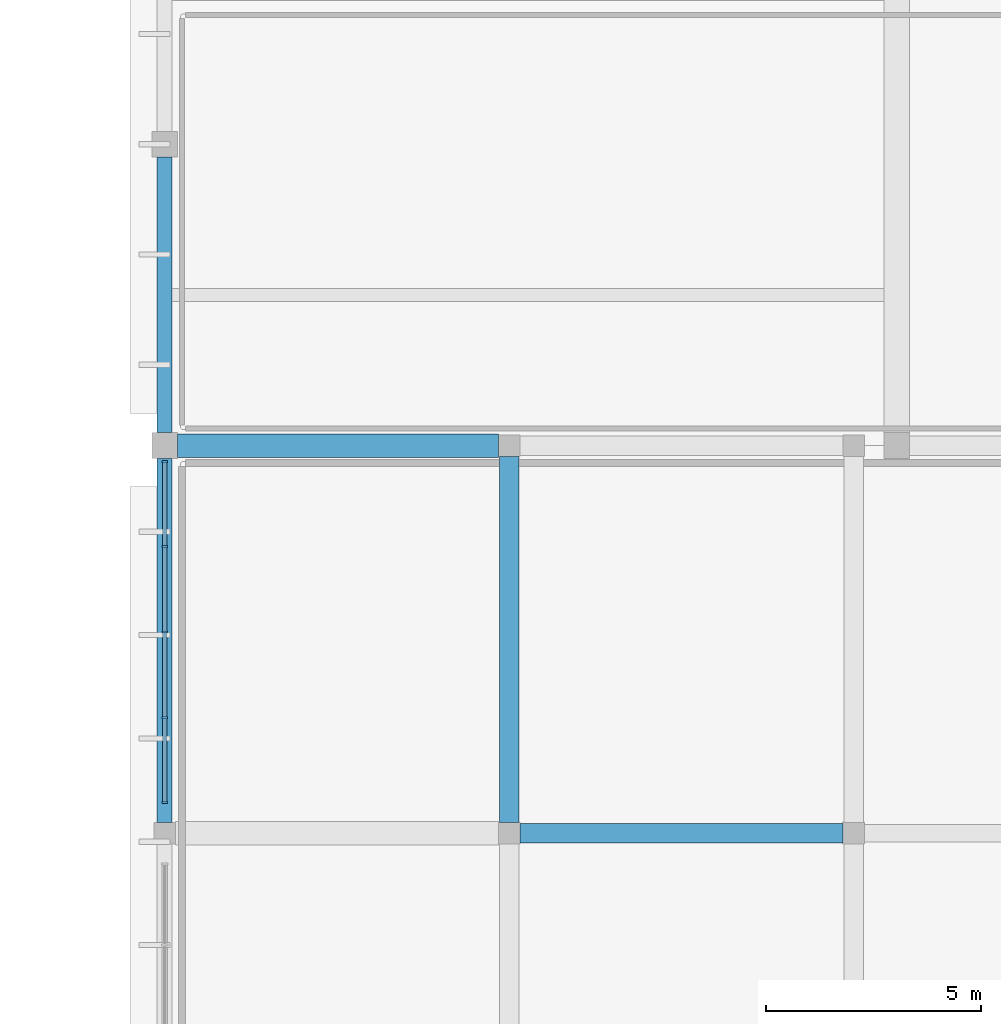
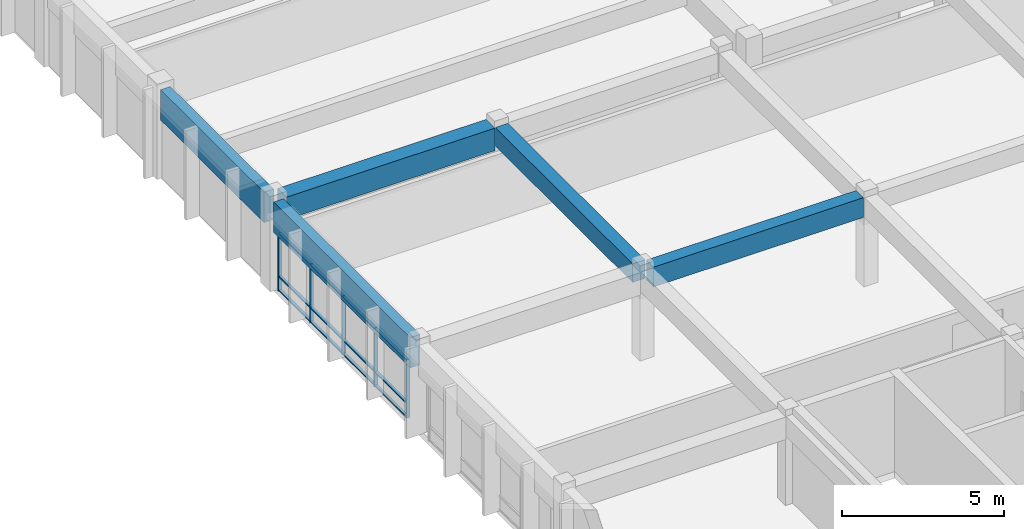
# One storey, part 6 of 33: 17 members, 5 beams, 1 element without a shape of its own.
"""IFC4 building model written with IfcOpenShell, lengths in metres."""

from ifc_helpers import new_model, si_unit, direction, frame, origin, origin_2d, place, context, subcontext, project, spatial, rectangle, extrude, material, material_profile, profile_set, type_object, element, aggregate, save


model = new_model("IFC4")

# Units and contexts
model_context = context("Model", 3, precision=1e-05, world=origin(), true_north=direction((0.0, 1.0)))
body_context = subcontext(model_context, "Body", "Model", "MODEL_VIEW")
ifc_project = project(units=[si_unit("LENGTHUNIT", "METRE"), si_unit("AREAUNIT", "SQUARE_METRE"), si_unit("VOLUMEUNIT", "CUBIC_METRE"), si_unit("PLANEANGLEUNIT", "RADIAN"), si_unit("MASSUNIT", "GRAM", prefix="KILO")], contexts=[model_context])

# Site, building, storey
site_placement = place(None, origin())
site = spatial("IfcSite", under=ifc_project, at=site_placement, CompositionType="ELEMENT")
building_placement = place(site_placement, origin())
building = spatial("IfcBuilding", under=site, at=building_placement, Name="Larkveld Mobility Hub", CompositionType="ELEMENT")
storey_placement = place(building_placement, frame((0.0, 0.0, 15.60009765625)))
storey = spatial("IfcBuildingStorey", under=building, at=storey_placement, Name="L04", CompositionType="ELEMENT", Elevation=15.60009765625)

# Beams
ifc_material_1 = material(Name="Concrete C40/50", Category="concrete")
ifc_material_profile_1 = material_profile(ifc_material_1, rectangle(XDim=0.449951171875, YDim=0.699951171875, at=origin_2d()), Name="RC BM 450x700")
ifc_profile_set_1 = profile_set([ifc_material_profile_1], Name="Concrete C40/50")
beam_type_1 = type_object("IfcBeamType", Name="BM-RC4570", PredefinedType="BEAM", material=ifc_profile_set_1)
beam_1_placement = place(storey_placement, frame((120.0, 19.25, 3.010009765625), z_axis=(0.0, 1.0, 0.0), x_axis=(-1.0, 0.0, 0.0)))
element("IfcBeam", 1, at=beam_1_placement, inside=storey, type_object=beam_type_1, Name="Primary N-S Girder L04-0909", PredefinedType="BEAM", context=body_context, shape_type="SweptSolid", body=[
    extrude(rectangle(XDim=0.449951171875, YDim=0.699951171875, at=origin_2d()), origin(), (0.0, 0.0, 1.0), 8.5),
])
ifc_material_profile_2 = material_profile(ifc_material_1, rectangle(XDim=0.449951171875, YDim=0.75, at=origin_2d()), Name="RC BM 450x750")
ifc_profile_set_2 = profile_set([ifc_material_profile_2], Name="Concrete C40/50")
beam_type_2 = type_object("IfcBeamType", Name="BM-RC4575", PredefinedType="BEAM", material=ifc_profile_set_2)
beam_2_placement = place(storey_placement, frame((120.25, 19.0, 2.98486328125), z_axis=(1.0, 0.0, 0.0), x_axis=(0.0, 1.0, 0.0)))
element("IfcBeam", 2, at=beam_2_placement, inside=storey, type_object=beam_type_2, Name="Primary E-W Girder L04-0867", PredefinedType="BEAM", context=body_context, shape_type="SweptSolid", body=[
    extrude(rectangle(XDim=0.449951171875, YDim=0.75, at=origin_2d()), origin(), (0.0, 0.0, 1.0), 7.5),
])
ifc_material_profile_3 = material_profile(ifc_material_1, rectangle(XDim=0.550048828125, YDim=0.85009765625, at=origin_2d()), Name="RC BM 550x850")
ifc_profile_set_3 = profile_set([ifc_material_profile_3], Name="Concrete C40/50")
beam_type_3 = type_object("IfcBeamType", Name="BM-RC5585", PredefinedType="BEAM", material=ifc_profile_set_3)
beam_3_placement = place(storey_placement, frame((112.300048828125, 28.0, 2.934814453125), z_axis=(1.0, 0.0, 0.0), x_axis=(0.0, 1.0, 0.0)))
element("IfcBeam", 3, at=beam_3_placement, inside=storey, type_object=beam_type_3, Name="Primary E-W Girder L04-0872", PredefinedType="BEAM", context=body_context, shape_type="SweptSolid", body=[
    extrude(rectangle(XDim=0.550048828125, YDim=0.85009765625, at=origin_2d()), origin(), (0.0, 0.0, 1.0), 7.449951171875),
])
ifc_material_2 = material(Name="Precast concrete C50/60", Category="concrete")
ifc_material_profile_4 = material_profile(ifc_material_2, rectangle(XDim=0.35009765625, YDim=1.14990234375, at=origin_2d()), Name="PC SP 350x1150")
ifc_profile_set_4 = profile_set([ifc_material_profile_4], Name="Precast concrete C50/60")
beam_type_4 = type_object("IfcBeamType", Name="BM-SP35115", PredefinedType="SPANDREL", material=ifc_profile_set_4)
beam_4_placement = place(storey_placement, frame((112.0, 19.25, 2.784912109375), z_axis=(0.0, 1.0, 0.0), x_axis=(-1.0, 0.0, 0.0)))
element("IfcBeam", 4, at=beam_4_placement, inside=storey, type_object=beam_type_4, Name="Primary N-S Girder L04-0898", PredefinedType="SPANDREL", context=body_context, shape_type="SweptSolid", body=[
    extrude(rectangle(XDim=0.35009765625, YDim=1.14990234375, at=origin_2d()), origin(), (0.0, 0.0, 1.0), 8.449951171875),
])
beam_5_placement = place(storey_placement, frame((112.0, 28.300048828125, 2.784912109375), z_axis=(0.0, 1.0, 0.0), x_axis=(-1.0, 0.0, 0.0)))
element("IfcBeam", 5, at=beam_5_placement, inside=storey, type_object=beam_type_4, Name="Primary N-S Girder L04-0899", PredefinedType="SPANDREL", context=body_context, shape_type="SweptSolid", body=[
    extrude(rectangle(XDim=0.35009765625, YDim=1.14990234375, at=origin_2d()), origin(), (0.0, 0.0, 1.0), 6.39990234375),
])

# Curtain wall, members
ifc_material_3 = material(Name="Anodised aluminium 6063-T6", Category="aluminium")
curtain_wall_type = type_object("IfcCurtainWallType", Name="CW-SYS-12", PredefinedType="NOTDEFINED", material=ifc_material_3)
curtain_wall_placement = place(storey_placement, origin())
curtain_wall = element("IfcCurtainWall", 6, at=curtain_wall_placement, inside=storey, type_object=curtain_wall_type, Name="Public Passage East Service Facade L04 CW-132", PredefinedType="NOTDEFINED")
ifc_material_profile_5 = material_profile(ifc_material_3, rectangle(XDim=0.050048828125, YDim=0.1298828125, at=origin_2d()), Name="ALU MULL 50x130")
ifc_profile_set_5 = profile_set([ifc_material_profile_5], Name="Anodised aluminium 6063-T6")
member_type_1 = type_object("IfcMemberType", Name="CW-MUL-04", PredefinedType="MULLION", material=ifc_profile_set_5)
member_1_placement = place(storey_placement, frame((112.0, 27.625, -0.002197265625), z_axis=(0.0, 0.0, 1.0), x_axis=(0.0, -1.0, 0.0)))
member_1 = element("IfcMember", 7, at=member_1_placement, type_object=member_type_1, Name="CW12 mullion 1", PredefinedType="MULLION", context=body_context, shape_type="SweptSolid", body=[
    extrude(rectangle(XDim=0.050048828125, YDim=0.1298828125, at=origin_2d()), origin(), (0.0, 0.0, 1.0), 2.212158203125),
])
member_2_placement = place(storey_placement, frame((112.0, 25.659912109375, -0.002197265625), z_axis=(0.0, 0.0, 1.0), x_axis=(0.0, -1.0, 0.0)))
member_2 = element("IfcMember", 8, at=member_2_placement, type_object=member_type_1, Name="CW12 mullion 2", PredefinedType="MULLION", context=body_context, shape_type="SweptSolid", body=[
    extrude(rectangle(XDim=0.050048828125, YDim=0.1298828125, at=origin_2d()), origin(), (0.0, 0.0, 1.0), 2.212158203125),
])
member_3_placement = place(storey_placement, frame((112.0, 23.669921875, -0.002197265625), z_axis=(0.0, 0.0, 1.0), x_axis=(0.0, -1.0, 0.0)))
member_3 = element("IfcMember", 9, at=member_3_placement, type_object=member_type_1, Name="CW12 mullion 3", PredefinedType="MULLION", context=body_context, shape_type="SweptSolid", body=[
    extrude(rectangle(XDim=0.050048828125, YDim=0.1298828125, at=origin_2d()), origin(), (0.0, 0.0, 1.0), 2.212158203125),
])
member_4_placement = place(storey_placement, frame((112.0, 21.679931640625, -0.002197265625), z_axis=(0.0, 0.0, 1.0), x_axis=(0.0, -1.0, 0.0)))
member_4 = element("IfcMember", 10, at=member_4_placement, type_object=member_type_1, Name="CW12 mullion 4", PredefinedType="MULLION", context=body_context, shape_type="SweptSolid", body=[
    extrude(rectangle(XDim=0.050048828125, YDim=0.1298828125, at=origin_2d()), origin(), (0.0, 0.0, 1.0), 2.212158203125),
])
member_5_placement = place(storey_placement, frame((112.0, 19.715087890625, -0.002197265625), z_axis=(0.0, 0.0, 1.0), x_axis=(0.0, -1.0, 0.0)))
member_5 = element("IfcMember", 11, at=member_5_placement, type_object=member_type_1, Name="CW12 mullion 5", PredefinedType="MULLION", context=body_context, shape_type="SweptSolid", body=[
    extrude(rectangle(XDim=0.050048828125, YDim=0.1298828125, at=origin_2d()), origin(), (0.0, 0.0, 1.0), 2.212158203125),
])
ifc_material_profile_6 = material_profile(ifc_material_3, rectangle(XDim=0.10009765625, YDim=0.050048828125, at=origin_2d()), Name="ALU TRAN 50x100")
ifc_profile_set_6 = profile_set([ifc_material_profile_6], Name="Anodised aluminium 6063-T6")
member_type_2 = type_object("IfcMemberType", Name="CW-TRN-04", PredefinedType="USERDEFINED", material=ifc_profile_set_6)
member_6_placement = place(storey_placement, frame((112.0, 27.614990234375, 0.02978515625), z_axis=(0.0, -1.0, 0.0), x_axis=(1.0, 0.0, 0.0)))
member_6 = element("IfcMember", 12, at=member_6_placement, type_object=member_type_2, Name="CW12 transom 1.1", ObjectType="TRANSOM", PredefinedType="USERDEFINED", context=body_context, shape_type="SweptSolid", body=[
    extrude(rectangle(XDim=0.10009765625, YDim=0.050048828125, at=origin_2d()), origin(), (0.0, 0.0, 1.0), 1.93994140625),
])
member_7_placement = place(storey_placement, frame((112.0, 27.614990234375, 0.552001953125), z_axis=(0.0, -1.0, 0.0), x_axis=(1.0, 0.0, 0.0)))
member_7 = element("IfcMember", 13, at=member_7_placement, type_object=member_type_2, Name="CW12 transom 1.2", ObjectType="TRANSOM", PredefinedType="USERDEFINED", context=body_context, shape_type="SweptSolid", body=[
    extrude(rectangle(XDim=0.10009765625, YDim=0.050048828125, at=origin_2d()), origin(), (0.0, 0.0, 1.0), 1.93994140625),
])
member_8_placement = place(storey_placement, frame((112.0, 27.614990234375, 2.177978515625), z_axis=(0.0, -1.0, 0.0), x_axis=(1.0, 0.0, 0.0)))
member_8 = element("IfcMember", 14, at=member_8_placement, type_object=member_type_2, Name="CW12 transom 1.3", ObjectType="TRANSOM", PredefinedType="USERDEFINED", context=body_context, shape_type="SweptSolid", body=[
    extrude(rectangle(XDim=0.10009765625, YDim=0.050048828125, at=origin_2d()), origin(), (0.0, 0.0, 1.0), 1.93994140625),
])
member_9_placement = place(storey_placement, frame((112.0, 25.64501953125, 0.02978515625), z_axis=(0.0, -1.0, 0.0), x_axis=(1.0, 0.0, 0.0)))
member_9 = element("IfcMember", 15, at=member_9_placement, type_object=member_type_2, Name="CW12 transom 2.1", ObjectType="TRANSOM", PredefinedType="USERDEFINED", context=body_context, shape_type="SweptSolid", body=[
    extrude(rectangle(XDim=0.10009765625, YDim=0.050048828125, at=origin_2d()), origin(), (0.0, 0.0, 1.0), 1.9599609375),
])
member_10_placement = place(storey_placement, frame((112.0, 25.64501953125, 0.552001953125), z_axis=(0.0, -1.0, 0.0), x_axis=(1.0, 0.0, 0.0)))
member_10 = element("IfcMember", 16, at=member_10_placement, type_object=member_type_2, Name="CW12 transom 2.2", ObjectType="TRANSOM", PredefinedType="USERDEFINED", context=body_context, shape_type="SweptSolid", body=[
    extrude(rectangle(XDim=0.10009765625, YDim=0.050048828125, at=origin_2d()), origin(), (0.0, 0.0, 1.0), 1.9599609375),
])
member_11_placement = place(storey_placement, frame((112.0, 25.64501953125, 2.177978515625), z_axis=(0.0, -1.0, 0.0), x_axis=(1.0, 0.0, 0.0)))
member_11 = element("IfcMember", 17, at=member_11_placement, type_object=member_type_2, Name="CW12 transom 2.3", ObjectType="TRANSOM", PredefinedType="USERDEFINED", context=body_context, shape_type="SweptSolid", body=[
    extrude(rectangle(XDim=0.10009765625, YDim=0.050048828125, at=origin_2d()), origin(), (0.0, 0.0, 1.0), 1.9599609375),
])
member_12_placement = place(storey_placement, frame((112.0, 23.655029296875, 0.02978515625), z_axis=(0.0, -1.0, 0.0), x_axis=(1.0, 0.0, 0.0)))
member_12 = element("IfcMember", 18, at=member_12_placement, type_object=member_type_2, Name="CW12 transom 3.1", ObjectType="TRANSOM", PredefinedType="USERDEFINED", context=body_context, shape_type="SweptSolid", body=[
    extrude(rectangle(XDim=0.10009765625, YDim=0.050048828125, at=origin_2d()), origin(), (0.0, 0.0, 1.0), 1.9599609375),
])
member_13_placement = place(storey_placement, frame((112.0, 23.655029296875, 0.552001953125), z_axis=(0.0, -1.0, 0.0), x_axis=(1.0, 0.0, 0.0)))
member_13 = element("IfcMember", 19, at=member_13_placement, type_object=member_type_2, Name="CW12 transom 3.2", ObjectType="TRANSOM", PredefinedType="USERDEFINED", context=body_context, shape_type="SweptSolid", body=[
    extrude(rectangle(XDim=0.10009765625, YDim=0.050048828125, at=origin_2d()), origin(), (0.0, 0.0, 1.0), 1.9599609375),
])
member_14_placement = place(storey_placement, frame((112.0, 23.655029296875, 2.177978515625), z_axis=(0.0, -1.0, 0.0), x_axis=(1.0, 0.0, 0.0)))
member_14 = element("IfcMember", 20, at=member_14_placement, type_object=member_type_2, Name="CW12 transom 3.3", ObjectType="TRANSOM", PredefinedType="USERDEFINED", context=body_context, shape_type="SweptSolid", body=[
    extrude(rectangle(XDim=0.10009765625, YDim=0.050048828125, at=origin_2d()), origin(), (0.0, 0.0, 1.0), 1.9599609375),
])
member_15_placement = place(storey_placement, frame((112.0, 21.6650390625, 0.02978515625), z_axis=(0.0, -1.0, 0.0), x_axis=(1.0, 0.0, 0.0)))
member_15 = element("IfcMember", 21, at=member_15_placement, type_object=member_type_2, Name="CW12 transom 4.1", ObjectType="TRANSOM", PredefinedType="USERDEFINED", context=body_context, shape_type="SweptSolid", body=[
    extrude(rectangle(XDim=0.10009765625, YDim=0.050048828125, at=origin_2d()), origin(), (0.0, 0.0, 1.0), 1.93994140625),
])
member_16_placement = place(storey_placement, frame((112.0, 21.6650390625, 0.552001953125), z_axis=(0.0, -1.0, 0.0), x_axis=(1.0, 0.0, 0.0)))
member_16 = element("IfcMember", 22, at=member_16_placement, type_object=member_type_2, Name="CW12 transom 4.2", ObjectType="TRANSOM", PredefinedType="USERDEFINED", context=body_context, shape_type="SweptSolid", body=[
    extrude(rectangle(XDim=0.10009765625, YDim=0.050048828125, at=origin_2d()), origin(), (0.0, 0.0, 1.0), 1.93994140625),
])
member_17_placement = place(storey_placement, frame((112.0, 21.6650390625, 2.177978515625), z_axis=(0.0, -1.0, 0.0), x_axis=(1.0, 0.0, 0.0)))
member_17 = element("IfcMember", 23, at=member_17_placement, type_object=member_type_2, Name="CW12 transom 4.3", ObjectType="TRANSOM", PredefinedType="USERDEFINED", context=body_context, shape_type="SweptSolid", body=[
    extrude(rectangle(XDim=0.10009765625, YDim=0.050048828125, at=origin_2d()), origin(), (0.0, 0.0, 1.0), 1.93994140625),
])
aggregate(curtain_wall, [member_1, member_2, member_3, member_4, member_5, member_6, member_7, member_8, member_9, member_10, member_11, member_12, member_13, member_14, member_15, member_16, member_17])

save(model, "model.ifc")
